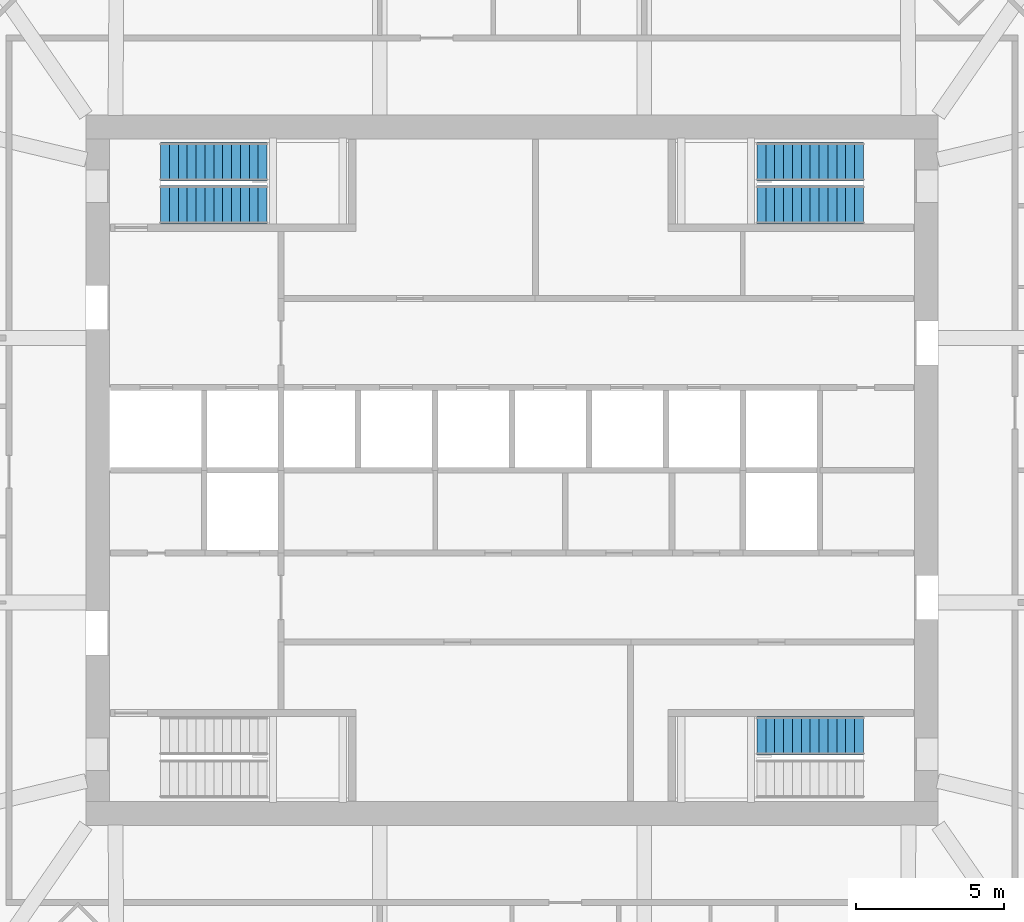
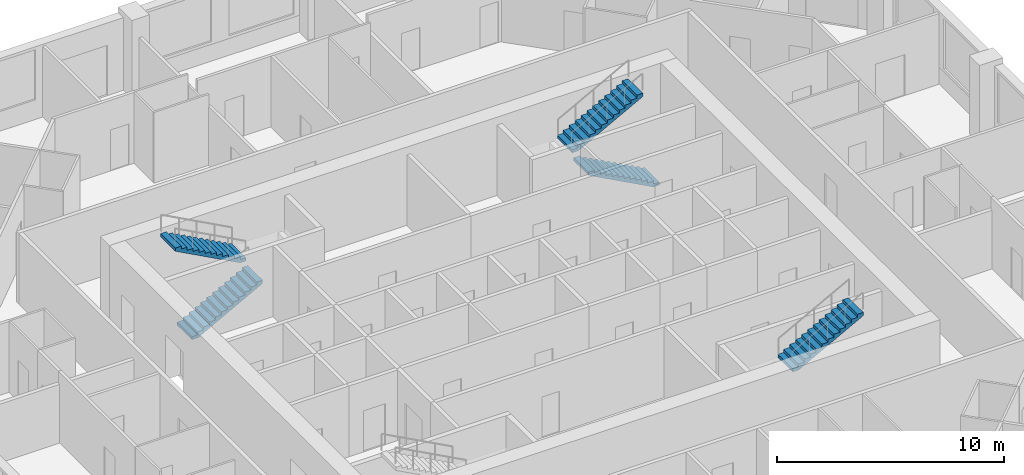
# One storey, part 11 of 13: 5 stair flights, 3 elements without a shape of their own.
"""IFC4 building model written with IfcOpenShell, lengths in metres."""

from ifc_helpers import new_model, si_unit, direction, frame, origin, place, context, subcontext, project, spatial, polyline, outline, extrude, material, type_object, element, aggregate, save


model = new_model("IFC4")

# Units and contexts
model_context = context("Model", 3, precision=1e-05, world=origin(), true_north=direction((0.0, 1.0)))
body_context = subcontext(model_context, "Body", "Model", "MODEL_VIEW")
ifc_project = project(units=[si_unit("LENGTHUNIT", "METRE"), si_unit("AREAUNIT", "SQUARE_METRE"), si_unit("VOLUMEUNIT", "CUBIC_METRE"), si_unit("PLANEANGLEUNIT", "RADIAN"), si_unit("MASSUNIT", "GRAM", prefix="KILO")], contexts=[model_context])

# Site, building, storey
site_placement = place(None, origin())
site = spatial("IfcSite", under=ifc_project, at=site_placement, CompositionType="ELEMENT")
building_placement = place(site_placement, origin())
building = spatial("IfcBuilding", under=site, at=building_placement, Name="Msitu Wima Residences", CompositionType="ELEMENT")
storey_placement = place(building_placement, frame((0.0, 0.0, 144.300048828125)))
storey = spatial("IfcBuildingStorey", under=building, at=storey_placement, Name="L33", CompositionType="ELEMENT", Elevation=144.300048828125)

# Stair, stair flights
ifc_material = material(Name="Concrete C40/50", Category="concrete")
stair_type = type_object("IfcStairType", Name="Exit stair ES1615-130", PredefinedType="HALF_TURN_STAIR", material=ifc_material)
stair_1_placement = place(storey_placement, origin())
stair_1 = element("IfcStair", 1, at=stair_1_placement, inside=storey, type_object=stair_type, Name="Exit stair 1", PredefinedType="HALF_TURN_STAIR")
stair_flight_type = type_object("IfcStairFlightType", Name="Exit stair flight ES1615-130", PredefinedType="STRAIGHT", material=ifc_material)
stair_flight_1_placement = place(storey_placement, frame((-11.875, 8.97509765625, 0.0), z_axis=(0.0, 0.0, 1.0), x_axis=(1.0, 0.0, 0.0)))
stair_flight_1 = element("IfcStairFlight", 2, at=stair_flight_1_placement, type_object=stair_flight_type, Name="S1 flight 1", NumberOfRisers=13, NumberOfTreads=12, PredefinedType="STRAIGHT", RiserHeight=0.161538462, TreadLength=0.3, context=body_context, shape_type="SweptSolid", body=[
    extrude(outline(polyline([(0.0, 0.0), (0.0, 0.16162109375), (0.300048828125, 0.16162109375), (0.300048828125, 0.322998046875), (0.60009765625, 0.322998046875), (0.60009765625, 0.484619140625), (0.89990234375, 0.484619140625), (0.89990234375, 0.646240234375), (1.199951171875, 0.646240234375), (1.199951171875, 0.8076171875), (1.5, 0.8076171875), (1.5, 0.96923828125), (1.800048828125, 0.96923828125), (1.800048828125, 1.130859375), (2.10009765625, 1.130859375), (2.10009765625, 1.292236328125), (2.39990234375, 1.292236328125), (2.39990234375, 1.453857421875), (2.699951171875, 1.453857421875), (2.699951171875, 1.615478515625), (3.0, 1.615478515625), (3.0, 1.77685546875), (3.300048828125, 1.77685546875), (3.300048828125, 1.9384765625), (3.60009765625, 1.9384765625), (3.60009765625, 2.10009765625), (3.60009765625, 1.768310546875), (0.316162109375, 0.0), (0.0, 0.0)])), frame((0.0, 0.64990234375, 0.0), z_axis=(0.0, -1.0, 0.0), x_axis=(1.0, 0.0, 0.0)), (0.0, 0.0, 1.0), 1.300048828125),
])
stair_flight_2_placement = place(storey_placement, frame((-8.27490234375, 10.425048828125, 2.099853515625), z_axis=(0.0, 0.0, 1.0), x_axis=(-1.0, 0.0, 0.0)))
stair_flight_2 = element("IfcStairFlight", 3, at=stair_flight_2_placement, type_object=stair_flight_type, Name="S1 flight 2", NumberOfRisers=13, NumberOfTreads=12, PredefinedType="STRAIGHT", RiserHeight=0.161538462, TreadLength=0.3, context=body_context, shape_type="SweptSolid", body=[
    extrude(outline(polyline([(0.0, 0.0), (0.0, 0.16162109375), (0.300048828125, 0.16162109375), (0.300048828125, 0.322998046875), (0.60009765625, 0.322998046875), (0.60009765625, 0.484619140625), (0.89990234375, 0.484619140625), (0.89990234375, 0.646240234375), (1.199951171875, 0.646240234375), (1.199951171875, 0.8076171875), (1.5, 0.8076171875), (1.5, 0.96923828125), (1.800048828125, 0.96923828125), (1.800048828125, 1.130859375), (2.10009765625, 1.130859375), (2.10009765625, 1.292236328125), (2.39990234375, 1.292236328125), (2.39990234375, 1.453857421875), (2.699951171875, 1.453857421875), (2.699951171875, 1.615478515625), (3.0, 1.615478515625), (3.0, 1.77685546875), (3.300048828125, 1.77685546875), (3.300048828125, 1.9384765625), (3.60009765625, 1.9384765625), (3.60009765625, 2.10009765625), (3.60009765625, 1.768310546875), (0.316162109375, 0.0), (0.0, 0.0)])), frame((0.0, 0.64990234375, 0.0), z_axis=(0.0, -1.0, 0.0), x_axis=(1.0, 0.0, 0.0)), (0.0, 0.0, 1.0), 1.300048828125),
])
aggregate(stair_1, [stair_flight_1, stair_flight_2])

stair_2_placement = place(storey_placement, origin())
stair_2 = element("IfcStair", 4, at=stair_2_placement, inside=storey, type_object=stair_type, Name="Exit stair 3", PredefinedType="HALF_TURN_STAIR")
stair_flight_3_placement = place(storey_placement, frame((11.875, 8.97509765625, 0.0), z_axis=(0.0, 0.0, 1.0), x_axis=(-1.0, 0.0, 0.0)))
stair_flight_3 = element("IfcStairFlight", 5, at=stair_flight_3_placement, type_object=stair_flight_type, Name="S3 flight 1", NumberOfRisers=13, NumberOfTreads=12, PredefinedType="STRAIGHT", RiserHeight=0.161538462, TreadLength=0.3, context=body_context, shape_type="SweptSolid", body=[
    extrude(outline(polyline([(0.0, 0.0), (0.0, 0.16162109375), (0.300048828125, 0.16162109375), (0.300048828125, 0.322998046875), (0.60009765625, 0.322998046875), (0.60009765625, 0.484619140625), (0.89990234375, 0.484619140625), (0.89990234375, 0.646240234375), (1.199951171875, 0.646240234375), (1.199951171875, 0.8076171875), (1.5, 0.8076171875), (1.5, 0.96923828125), (1.800048828125, 0.96923828125), (1.800048828125, 1.130859375), (2.10009765625, 1.130859375), (2.10009765625, 1.292236328125), (2.39990234375, 1.292236328125), (2.39990234375, 1.453857421875), (2.699951171875, 1.453857421875), (2.699951171875, 1.615478515625), (3.0, 1.615478515625), (3.0, 1.77685546875), (3.300048828125, 1.77685546875), (3.300048828125, 1.9384765625), (3.60009765625, 1.9384765625), (3.60009765625, 2.10009765625), (3.60009765625, 1.768310546875), (0.316162109375, 0.0), (0.0, 0.0)])), frame((0.0, 0.64990234375, 0.0), z_axis=(0.0, -1.0, 0.0), x_axis=(1.0, 0.0, 0.0)), (0.0, 0.0, 1.0), 1.300048828125),
])
stair_flight_4_placement = place(storey_placement, frame((8.27490234375, 10.425048828125, 2.099853515625), z_axis=(0.0, 0.0, 1.0), x_axis=(1.0, 0.0, 0.0)))
stair_flight_4 = element("IfcStairFlight", 6, at=stair_flight_4_placement, type_object=stair_flight_type, Name="S3 flight 2", NumberOfRisers=13, NumberOfTreads=12, PredefinedType="STRAIGHT", RiserHeight=0.161538462, TreadLength=0.3, context=body_context, shape_type="SweptSolid", body=[
    extrude(outline(polyline([(0.0, 0.0), (0.0, 0.16162109375), (0.300048828125, 0.16162109375), (0.300048828125, 0.322998046875), (0.60009765625, 0.322998046875), (0.60009765625, 0.484619140625), (0.89990234375, 0.484619140625), (0.89990234375, 0.646240234375), (1.199951171875, 0.646240234375), (1.199951171875, 0.8076171875), (1.5, 0.8076171875), (1.5, 0.96923828125), (1.800048828125, 0.96923828125), (1.800048828125, 1.130859375), (2.10009765625, 1.130859375), (2.10009765625, 1.292236328125), (2.39990234375, 1.292236328125), (2.39990234375, 1.453857421875), (2.699951171875, 1.453857421875), (2.699951171875, 1.615478515625), (3.0, 1.615478515625), (3.0, 1.77685546875), (3.300048828125, 1.77685546875), (3.300048828125, 1.9384765625), (3.60009765625, 1.9384765625), (3.60009765625, 2.10009765625), (3.60009765625, 1.768310546875), (0.316162109375, 0.0), (0.0, 0.0)])), frame((0.0, 0.64990234375, 0.0), z_axis=(0.0, -1.0, 0.0), x_axis=(1.0, 0.0, 0.0)), (0.0, 0.0, 1.0), 1.300048828125),
])
aggregate(stair_2, [stair_flight_3, stair_flight_4])

# Stair, stair flight
stair_3_placement = place(storey_placement, origin())
stair_3 = element("IfcStair", 7, at=stair_3_placement, inside=storey, type_object=stair_type, Name="Exit stair 4", PredefinedType="HALF_TURN_STAIR")
stair_flight_5_placement = place(storey_placement, frame((8.27490234375, -8.97509765625, 2.099853515625), z_axis=(0.0, 0.0, 1.0), x_axis=(1.0, 0.0, 0.0)))
stair_flight_5 = element("IfcStairFlight", 8, at=stair_flight_5_placement, type_object=stair_flight_type, Name="S4 flight 2", NumberOfRisers=13, NumberOfTreads=12, PredefinedType="STRAIGHT", RiserHeight=0.161538462, TreadLength=0.3, context=body_context, shape_type="SweptSolid", body=[
    extrude(outline(polyline([(0.0, 0.0), (0.0, 0.16162109375), (0.300048828125, 0.16162109375), (0.300048828125, 0.322998046875), (0.60009765625, 0.322998046875), (0.60009765625, 0.484619140625), (0.89990234375, 0.484619140625), (0.89990234375, 0.646240234375), (1.199951171875, 0.646240234375), (1.199951171875, 0.8076171875), (1.5, 0.8076171875), (1.5, 0.96923828125), (1.800048828125, 0.96923828125), (1.800048828125, 1.130859375), (2.10009765625, 1.130859375), (2.10009765625, 1.292236328125), (2.39990234375, 1.292236328125), (2.39990234375, 1.453857421875), (2.699951171875, 1.453857421875), (2.699951171875, 1.615478515625), (3.0, 1.615478515625), (3.0, 1.77685546875), (3.300048828125, 1.77685546875), (3.300048828125, 1.9384765625), (3.60009765625, 1.9384765625), (3.60009765625, 2.10009765625), (3.60009765625, 1.768310546875), (0.316162109375, 0.0), (0.0, 0.0)])), frame((0.0, 0.64990234375, 0.0), z_axis=(0.0, -1.0, 0.0), x_axis=(1.0, 0.0, 0.0)), (0.0, 0.0, 1.0), 1.300048828125),
])
aggregate(stair_3, [stair_flight_5])

save(model, "model.ifc")
